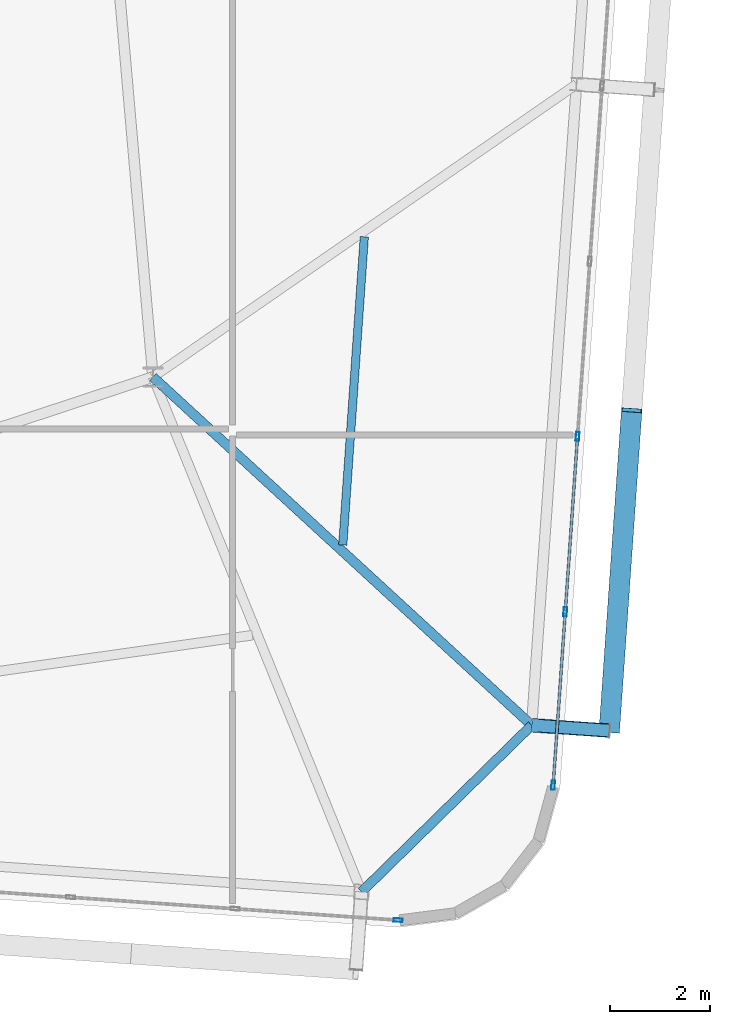
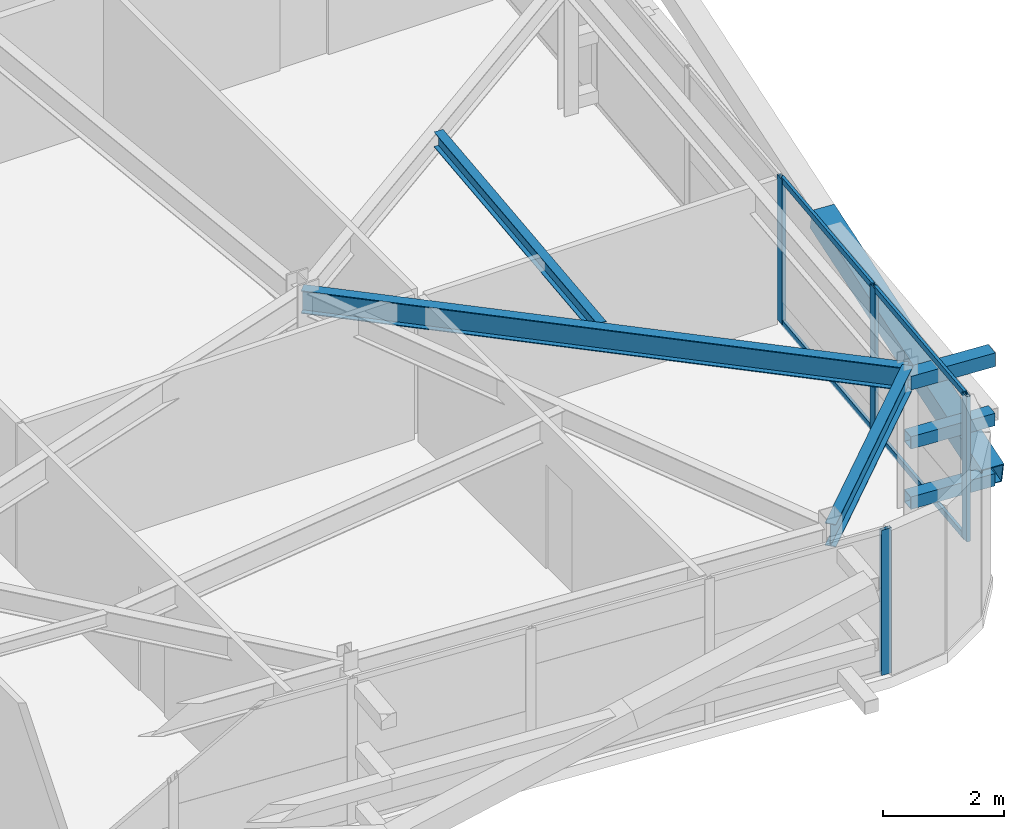
# One storey, part 21 of 47: 12 members, 3 beams, 2 elements without a shape of their own.
"""IFC4 building model written with IfcOpenShell, lengths in metres."""

from ifc_helpers import new_model, si_unit, direction, frame, origin, origin_2d, place, context, subcontext, project, spatial, hollow_rectangle, i_section, extrude, source, transform, mapped, material, layer, layer_set, material_profile, profile_set, type_object, element, aggregate, save


model = new_model("IFC4")

# Units and contexts
model_context = context("Model", 3, precision=1e-05, world=origin(), true_north=direction((0.0, 1.0)))
body_context = subcontext(model_context, "Body", "Model", "MODEL_VIEW")
ifc_project = project(units=[si_unit("LENGTHUNIT", "METRE"), si_unit("AREAUNIT", "SQUARE_METRE"), si_unit("VOLUMEUNIT", "CUBIC_METRE"), si_unit("PLANEANGLEUNIT", "RADIAN"), si_unit("MASSUNIT", "GRAM", prefix="KILO")], contexts=[model_context])

# Site, building, storey
site_placement = place(None, origin())
site = spatial("IfcSite", under=ifc_project, at=site_placement, CompositionType="ELEMENT")
building_placement = place(site_placement, origin())
building = spatial("IfcBuilding", under=site, at=building_placement, Name="Taldren Reach Tower", CompositionType="ELEMENT")
storey_placement = place(building_placement, frame((0.0, 0.0, 139.300048828125)))
storey = spatial("IfcBuildingStorey", under=building, at=storey_placement, Name="L42", CompositionType="ELEMENT", Elevation=139.300048828125)

# Members
ifc_material_1 = material(Name="Steel Gr 450 (C450L0)", Category="steel")
ifc_material_profile_1 = material_profile(ifc_material_1, hollow_rectangle(XDim=0.27490234375, YDim=0.27490234375, WallThickness=0.00927734375, at=origin_2d()), Name="275x275x9.3SHS")
ifc_profile_set_1 = profile_set([ifc_material_profile_1], Name="Steel Gr 450 (C450L0)")
member_type_1 = type_object("IfcMemberType", Name="MB-TIE273", PredefinedType="STRUT", material=ifc_profile_set_1)
shared_shape_1 = source(origin(), body_context, "Body", "SweptSolid", [
    extrude(hollow_rectangle(XDim=0.27490234375, YDim=0.27490234375, WallThickness=0.00927734375, at=origin_2d()), origin(), (0.0, 0.0, 1.0), 1.5498046875),
])
member_1_placement = place(storey_placement, frame((59.54541015625, 5.562744140625, 2.64990234375), z_axis=(0.997573320145, -0.069623781384, 0.0), x_axis=(0.069623781384, 0.997573320145, 0.0)))
element("IfcMember", 1, at=member_1_placement, inside=storey, type_object=member_type_1, Name="Exoskeleton diaphragm tie strut B3-E1 L42", PredefinedType="STRUT", context=body_context, shape_type="MappedRepresentation", body=[
    mapped(shared_shape_1, transform((0.0, 0.0, 0.0), scale=1.0)),
])
ifc_material_2 = material(Name="Steel Gr 350 (C350L0)", Category="steel")
ifc_material_profile_2 = material_profile(ifc_material_2, hollow_rectangle(XDim=0.25, YDim=0.25, WallThickness=0.010009765625, at=origin_2d()), Name="250x250x10.0SHS")
ifc_profile_set_2 = profile_set([ifc_material_profile_2], Name="Steel Gr 350 (C350L0)")
member_type_2 = type_object("IfcMemberType", Name="MB-POST250", PredefinedType="POST", material=ifc_profile_set_2)
shared_shape_2 = source(origin(), body_context, "Body", "SweptSolid", [
    extrude(hollow_rectangle(XDim=0.25, YDim=0.25, WallThickness=0.010009765625, at=origin_2d()), origin(), (0.0, 0.0, 1.0), 1.5498046875),
])
for number, where, z_axis, x_axis, name in (
    (2, (59.54541015625, 5.562744140625, 0.219970703125), (0.997573320145, -0.069623781384, 0.0), (0.069623781384, 0.997573320145, 0.0), "Exoskeleton base diaphragm tie strut B3-E1 L42"),
    (3, (59.54541015625, 5.562744140625, 1.43505859375), (0.997573320145, -0.069623781384, 0.0), (0.069623781384, 0.997573320145, 0.0), "Exoskeleton mid-tier diaphragm tie B3-E1 L42"),
):
    element("IfcMember", number, at=place(storey_placement, frame(where, z_axis=z_axis, x_axis=x_axis)), inside=storey, type_object=member_type_2, Name=name, PredefinedType="POST", context=body_context, shape_type="MappedRepresentation", body=[
        mapped(shared_shape_2, transform((0.0, 0.0, 0.0), scale=1.0)),
    ])

# Beams
ifc_material_3 = material(Name="Steel Gr 350 (350PLUS)", Category="steel")
ifc_material_profile_3 = material_profile(ifc_material_3, i_section(OverallWidth=0.18994140625, OverallDepth=0.4541015625, WebThickness=0.008544921875, FlangeThickness=0.0126953125, at=origin_2d()), Name="460UB67.1")
ifc_profile_set_3 = profile_set([ifc_material_profile_3], Name="Steel Gr 350 (350PLUS)")
beam_type_1 = type_object("IfcBeamType", Name="SP-UB460B", PredefinedType="SPANDREL", material=ifc_profile_set_3)
shared_shape_3 = source(origin(), body_context, "Body", "SweptSolid", [
    extrude(i_section(OverallWidth=0.18994140625, OverallDepth=0.4541015625, WebThickness=0.008544921875, FlangeThickness=0.0126953125, at=origin_2d()), origin(), (0.0, 0.0, 1.0), 4.745849609375),
])
beam_1_placement = place(storey_placement, frame((56.155517578125, 2.2412109375, 2.702880859375), z_axis=(0.714271982806, 0.699868226581, 0.0), x_axis=(-0.699868226581, 0.714271982806, 0.0)))
element("IfcBeam", 4, at=beam_1_placement, inside=storey, type_object=beam_type_1, Name="Perimeter spandrel B3 S6-E1 L42", PredefinedType="SPANDREL", context=body_context, shape_type="MappedRepresentation", body=[
    mapped(shared_shape_3, transform((0.0, 0.0, 0.0), scale=1.0)),
])
ifc_material_profile_4 = material_profile(ifc_material_3, i_section(OverallWidth=0.19091796875, OverallDepth=0.4599609375, WebThickness=0.010009765625, FlangeThickness=0.01611328125, at=origin_2d()), Name="460UB82.1")
ifc_profile_set_4 = profile_set([ifc_material_profile_4], Name="Steel Gr 350 (350PLUS)")
beam_type_2 = type_object("IfcBeamType", Name="BM-UB460A", PredefinedType="BEAM", material=ifc_profile_set_4)
shared_shape_4 = source(origin(), body_context, "Body", "SweptSolid", [
    extrude(i_section(OverallWidth=0.19091796875, OverallDepth=0.4599609375, WebThickness=0.010009765625, FlangeThickness=0.01611328125, at=origin_2d()), origin(), (0.0, 0.0, 1.0), 10.249755859375),
])
beam_2_placement = place(storey_placement, frame((52.0, 12.5, 2.699951171875), z_axis=(0.736150772628, -0.676817582483, 0.0), x_axis=(0.676817582483, 0.736150772628, 0.0)))
element("IfcBeam", 5, at=beam_2_placement, inside=storey, type_object=beam_type_2, Name="Primary floor girder B3-E1 L42", PredefinedType="BEAM", context=body_context, shape_type="MappedRepresentation", body=[
    mapped(shared_shape_4, transform((0.0, 0.0, 0.0), scale=1.0)),
])
ifc_material_4 = material(Name="Steel Gr 300 (300PLUS, 300 MPa)", Category="steel")
ifc_material_profile_5 = material_profile(ifc_material_4, i_section(OverallWidth=0.166015625, OverallDepth=0.306884765625, WebThickness=0.006591796875, FlangeThickness=0.01171875, at=origin_2d()), Name="310UB46.2")
ifc_profile_set_5 = profile_set([ifc_material_profile_5], Name="Steel Gr 300 (300PLUS, 300 MPa)")
beam_type_3 = type_object("IfcBeamType", Name="JS-UB310", PredefinedType="JOIST", material=ifc_profile_set_5)
shared_shape_5 = source(origin(), body_context, "Body", "SweptSolid", [
    extrude(i_section(OverallWidth=0.166015625, OverallDepth=0.306884765625, WebThickness=0.006591796875, FlangeThickness=0.01171875, at=origin_2d()), origin(), (0.0, 0.0, 1.0), 6.155517578125),
])
beam_3_placement = place(storey_placement, frame((55.78125, 9.1533203125, 2.7763671875), z_axis=(0.069764400024, 0.997563495969, 0.0), x_axis=(-0.997563495969, 0.069764400024, 0.0)))
element("IfcBeam", 6, at=beam_3_placement, inside=storey, type_object=beam_type_3, Name="Secondary floor joist B3 J7 L42", PredefinedType="JOIST", context=body_context, shape_type="MappedRepresentation", body=[
    mapped(shared_shape_5, transform((0.0, 0.0, 0.0), scale=1.0)),
])

# Member
ifc_material_profile_6 = material_profile(ifc_material_1, hollow_rectangle(XDim=0.409912109375, YDim=0.409912109375, WallThickness=0.01611328125, at=origin_2d()), Name="410x410x16.0SHS")
ifc_profile_set_6 = profile_set([ifc_material_profile_6], Name="Steel Gr 450 (C450L0)")
member_type_3 = type_object("IfcMemberType", Name="MB-EXO406", PredefinedType="BRACE", material=ifc_profile_set_6)
shared_shape_6 = source(origin(), body_context, "Body", "SweptSolid", [
    extrude(hollow_rectangle(XDim=0.409912109375, YDim=0.409912109375, WallThickness=0.01611328125, at=origin_2d()), origin(), (0.0, 0.0, 1.0), 6.51416015625),
])
member_2_placement = place(storey_placement, frame((61.091552734375, 5.454833984375, 0.219970703125), z_axis=(0.068547644544, 0.980055169399, 0.186529046964), x_axis=(-0.997562951496, 0.069772185021, 0.0)))
element("IfcMember", 7, at=member_2_placement, inside=storey, type_object=member_type_3, Name="Exoskeleton Diagrid Brace B3-E1 L42", PredefinedType="BRACE", context=body_context, shape_type="MappedRepresentation", body=[
    mapped(shared_shape_6, transform((0.0, 0.0, 0.0), scale=1.0)),
])

# Curtain wall, member
ifc_material_5 = material(Name="Aluminium and Low-E Glass Unitised System", Category="aluminium")
ifc_layer = layer(ifc_material_5, 0.159912109375)
ifc_layer_set = layer_set([ifc_layer], Name="Aluminium and Low-E Glass Unitised System")
curtain_wall_type = type_object("IfcCurtainWallType", Name="CW-SYS-4", PredefinedType="NOTDEFINED", material=ifc_layer_set)
curtain_wall_1_placement = place(storey_placement, origin())
curtain_wall_1 = element("IfcCurtainWall", 8, at=curtain_wall_1_placement, inside=storey, type_object=curtain_wall_type, Name="Unitised curtain wall CW-L42-S", PredefinedType="NOTDEFINED")
ifc_material_6 = material(Name="Anodised Aluminium 6063-T6", Category="aluminium")
ifc_material_profile_7 = material_profile(ifc_material_6, hollow_rectangle(XDim=0.070068359375, YDim=0.179931640625, WallThickness=0.00390625, at=origin_2d()), Name="ALU-180x70x4RHS")
ifc_profile_set_7 = profile_set([ifc_material_profile_7], Name="Anodised Aluminium 6063-T6")
member_type_4 = type_object("IfcMemberType", Name="CW-MUL-180", PredefinedType="MULLION", material=ifc_profile_set_7)
shared_shape_7 = source(origin(), body_context, "Body", "SweptSolid", [
    extrude(hollow_rectangle(XDim=0.070068359375, YDim=0.179931640625, WallThickness=0.00390625, at=origin_2d()), origin(), (0.0, 0.0, 1.0), 2.929931640625),
])
member_3_placement = place(storey_placement, frame((56.883056640625, 1.67919921875, 0.0), z_axis=(0.0, 0.0, 1.0), x_axis=(0.06975651593, 0.99756404731, 0.0)))
member_3 = element("IfcMember", 9, at=member_3_placement, type_object=member_type_4, Name="CW-4 mullion 15", PredefinedType="MULLION", context=body_context, shape_type="MappedRepresentation", body=[
    mapped(shared_shape_7, transform((0.0, 0.0, 0.0), scale=1.0)),
])
aggregate(curtain_wall_1, [member_3])

# Curtain wall, members
curtain_wall_2_placement = place(storey_placement, origin())
curtain_wall_2 = element("IfcCurtainWall", 10, at=curtain_wall_2_placement, inside=storey, type_object=curtain_wall_type, Name="Unitised curtain wall CW-L42-E", PredefinedType="NOTDEFINED")
member_4_placement = place(storey_placement, frame((59.972900390625, 4.365234375, 0.0), z_axis=(0.0, 0.0, 1.0), x_axis=(-0.997564052812, 0.069756437251, 0.0)))
member_4 = element("IfcMember", 11, at=member_4_placement, type_object=member_type_4, Name="CW-4 mullion 1", PredefinedType="MULLION", context=body_context, shape_type="MappedRepresentation", body=[
    mapped(shared_shape_7, transform((0.0, 0.0, 0.0), scale=1.0)),
])
member_5_placement = place(storey_placement, frame((60.214599609375, 7.82177734375, 0.0), z_axis=(0.0, 0.0, 1.0), x_axis=(-0.997564052812, 0.069756437251, 0.0)))
member_5 = element("IfcMember", 12, at=member_5_placement, type_object=member_type_4, Name="CW-4 mullion 2", PredefinedType="MULLION", context=body_context, shape_type="MappedRepresentation", body=[
    mapped(shared_shape_7, transform((0.0, 0.0, 0.0), scale=1.0)),
])
member_6_placement = place(storey_placement, frame((60.458740234375, 11.313232421875, 0.0), z_axis=(0.0, 0.0, 1.0), x_axis=(-0.997564052812, 0.069756437251, 0.0)))
member_6 = element("IfcMember", 13, at=member_6_placement, type_object=member_type_4, Name="CW-4 mullion 3", PredefinedType="MULLION", context=body_context, shape_type="MappedRepresentation", body=[
    mapped(shared_shape_7, transform((0.0, 0.0, 0.0), scale=1.0)),
])
ifc_material_profile_8 = material_profile(ifc_material_6, hollow_rectangle(XDim=0.054931640625, YDim=0.1201171875, WallThickness=0.0029296875, at=origin_2d()), Name="ALU-120x55x3RHS")
ifc_profile_set_8 = profile_set([ifc_material_profile_8], Name="Anodised Aluminium 6063-T6")
member_type_5 = type_object("IfcMemberType", Name="CW-TRN-135", PredefinedType="USERDEFINED", material=ifc_profile_set_8)
shared_shape_8 = source(origin(), body_context, "Body", "SweptSolid", [
    extrude(hollow_rectangle(XDim=0.054931640625, YDim=0.1201171875, WallThickness=0.0029296875, at=origin_2d()), origin(), (0.0, 0.0, 1.0), 3.39501953125),
])
member_7_placement = place(storey_placement, frame((59.975341796875, 4.400146484375, 0.02734375), z_axis=(0.069754703634, 0.997564174036, 0.0), x_axis=(-0.997564174036, 0.069754703634, 0.0)))
member_7 = element("IfcMember", 14, at=member_7_placement, type_object=member_type_5, Name="CW-4 transom 1.1", ObjectType="TRANSOM", PredefinedType="USERDEFINED", context=body_context, shape_type="MappedRepresentation", body=[
    mapped(shared_shape_8, transform((0.0, 0.0, 0.0), scale=1.0)),
])
member_8_placement = place(storey_placement, frame((59.975341796875, 4.400146484375, 2.90234375), z_axis=(0.069754703634, 0.997564174036, 0.0), x_axis=(-0.997564174036, 0.069754703634, 0.0)))
member_8 = element("IfcMember", 15, at=member_8_placement, type_object=member_type_5, Name="CW-4 transom 1.2", ObjectType="TRANSOM", PredefinedType="USERDEFINED", context=body_context, shape_type="MappedRepresentation", body=[
    mapped(shared_shape_8, transform((0.0, 0.0, 0.0), scale=1.0)),
])
shared_shape_9 = source(origin(), body_context, "Body", "SweptSolid", [
    extrude(hollow_rectangle(XDim=0.054931640625, YDim=0.1201171875, WallThickness=0.0029296875, at=origin_2d()), origin(), (0.0, 0.0, 1.0), 3.429931640625),
])
member_9_placement = place(storey_placement, frame((60.217041015625, 7.856689453125, 0.02734375), z_axis=(0.069754754695, 0.997564170466, 0.0), x_axis=(-0.997564170466, 0.069754754695, 0.0)))
member_9 = element("IfcMember", 16, at=member_9_placement, type_object=member_type_5, Name="CW-4 transom 2.1", ObjectType="TRANSOM", PredefinedType="USERDEFINED", context=body_context, shape_type="MappedRepresentation", body=[
    mapped(shared_shape_9, transform((0.0, 0.0, 0.0), scale=1.0)),
])
member_10_placement = place(storey_placement, frame((60.217041015625, 7.856689453125, 2.90234375), z_axis=(0.069754754695, 0.997564170466, 0.0), x_axis=(-0.997564170466, 0.069754754695, 0.0)))
member_10 = element("IfcMember", 17, at=member_10_placement, type_object=member_type_5, Name="CW-4 transom 2.2", ObjectType="TRANSOM", PredefinedType="USERDEFINED", context=body_context, shape_type="MappedRepresentation", body=[
    mapped(shared_shape_9, transform((0.0, 0.0, 0.0), scale=1.0)),
])
aggregate(curtain_wall_2, [member_4, member_5, member_6, member_7, member_8, member_9, member_10])

save(model, "model.ifc")
